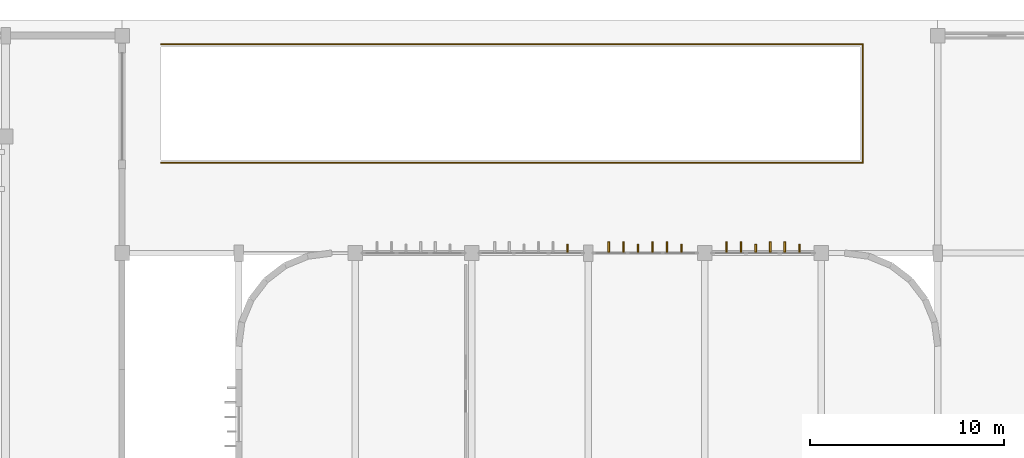
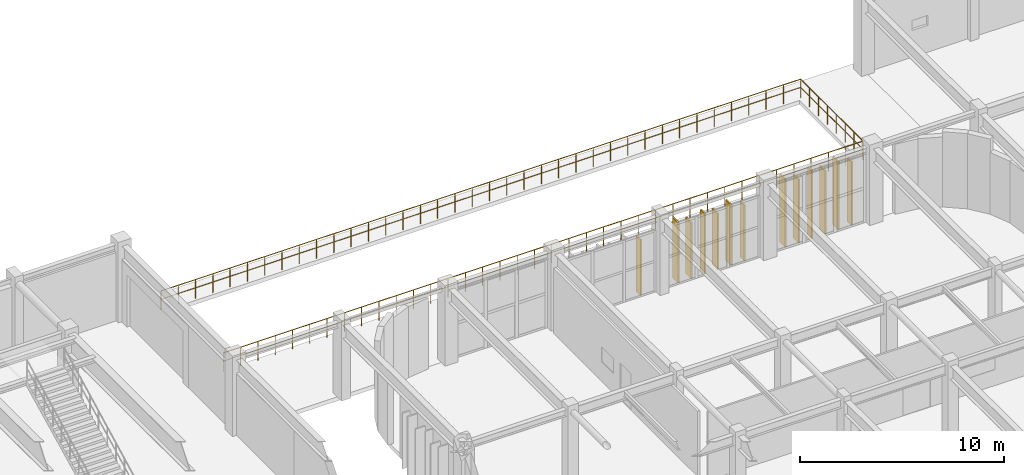
# One storey, part 72 of 76: 13 coverings, 3 railings.
"""IFC4 building model written with IfcOpenShell, lengths in metres."""

from ifc_helpers import new_model, si_unit, direction, frame, origin, origin_2d, place, context, subcontext, project, spatial, rectangle, circle, extrude, material, layer, layer_set, type_object, element, save


model = new_model("IFC4")

# Units and contexts
model_context = context("Model", 3, precision=1e-05, world=origin(), true_north=direction((0.0, 1.0)))
body_context = subcontext(model_context, "Body", "Model", "MODEL_VIEW")
ifc_project = project(units=[si_unit("LENGTHUNIT", "METRE"), si_unit("AREAUNIT", "SQUARE_METRE"), si_unit("VOLUMEUNIT", "CUBIC_METRE"), si_unit("PLANEANGLEUNIT", "RADIAN"), si_unit("MASSUNIT", "GRAM", prefix="KILO")], contexts=[model_context])

# Site, building, storey
site_placement = place(None, origin())
site = spatial("IfcSite", under=ifc_project, at=site_placement, CompositionType="ELEMENT")
building_placement = place(site_placement, origin())
building = spatial("IfcBuilding", under=site, at=building_placement, Name="Varnakota Square Police Headquarters", CompositionType="ELEMENT")
storey_placement = place(building_placement, origin())
storey = spatial("IfcBuildingStorey", under=building, at=storey_placement, Name="L00", CompositionType="ELEMENT", Elevation=0.0)

# Coverings
ifc_material_1 = material(Name="White Anodised Aluminium Vertical Facade Blade 420", Category="aluminium")
ifc_layer_1 = layer(ifc_material_1, 0.0849609375, Name="White Anodised Aluminium Vertical Facade Blade 420")
ifc_layer_set_1 = layer_set([ifc_layer_1], Name="White Anodised Aluminium Vertical Facade Blade 420")
covering_type_1 = type_object("IfcCoveringType", Name="COV-FIN-420", PredefinedType="CLADDING", material=ifc_layer_set_1)
covering_1_placement = place(storey_placement, frame((76.9375, 99.237548828125, 0.0400390625), z_axis=(0.0, 0.0, 1.0), x_axis=(1.0, 0.0, 0.0)))
element("IfcCovering", 1, at=covering_1_placement, inside=storey, type_object=covering_type_1, Name="Vertical aluminium facade fin FIN-1091", PredefinedType="CLADDING", context=body_context, shape_type="SweptSolid", body=[
    extrude(rectangle(XDim=0.0849609375, YDim=0.419921875, at=origin_2d()), origin(), (0.0, 0.0, 1.0), 3.330078125),
])
covering_2_placement = place(storey_placement, frame((80.5625, 99.237548828125, 0.0400390625), z_axis=(0.0, 0.0, 1.0), x_axis=(1.0, 0.0, 0.0)))
element("IfcCovering", 2, at=covering_2_placement, inside=storey, type_object=covering_type_1, Name="Vertical aluminium facade fin FIN-1094", PredefinedType="CLADDING", context=body_context, shape_type="SweptSolid", body=[
    extrude(rectangle(XDim=0.0849609375, YDim=0.419921875, at=origin_2d()), origin(), (0.0, 0.0, 1.0), 3.610107421875),
])
covering_3_placement = place(storey_placement, frame((82.8125, 99.237548828125, 0.0400390625), z_axis=(0.0, 0.0, 1.0), x_axis=(1.0, 0.0, 0.0)))
element("IfcCovering", 3, at=covering_3_placement, inside=storey, type_object=covering_type_1, Name="Vertical aluminium facade fin FIN-1097", PredefinedType="CLADDING", context=body_context, shape_type="SweptSolid", body=[
    extrude(rectangle(XDim=0.0849609375, YDim=0.419921875, at=origin_2d()), origin(), (0.0, 0.0, 1.0), 3.330078125),
])
covering_4_placement = place(storey_placement, frame((86.625, 99.242431640625, 0.0400390625), z_axis=(0.0, 0.0, 1.0), x_axis=(1.0, 0.0, 0.0)))
element("IfcCovering", 4, at=covering_4_placement, inside=storey, type_object=covering_type_1, Name="Vertical aluminium facade fin FIN-1100", PredefinedType="CLADDING", context=body_context, shape_type="SweptSolid", body=[
    extrude(rectangle(XDim=0.0849609375, YDim=0.419921875, at=origin_2d()), origin(), (0.0, 0.0, 1.0), 4.06005859375),
])
covering_5_placement = place(storey_placement, frame((88.875, 99.242431640625, 0.0400390625), z_axis=(0.0, 0.0, 1.0), x_axis=(1.0, 0.0, 0.0)))
element("IfcCovering", 5, at=covering_5_placement, inside=storey, type_object=covering_type_1, Name="Vertical aluminium facade fin FIN-1103", PredefinedType="CLADDING", context=body_context, shape_type="SweptSolid", body=[
    extrude(rectangle(XDim=0.0849609375, YDim=0.419921875, at=origin_2d()), origin(), (0.0, 0.0, 1.0), 3.780029296875),
])
ifc_material_2 = material(Name="White Anodised Aluminium Vertical Facade Blade 550", Category="aluminium")
ifc_layer_2 = layer(ifc_material_2, 0.0849609375, Name="White Anodised Aluminium Vertical Facade Blade 550")
ifc_layer_set_2 = layer_set([ifc_layer_2], Name="White Anodised Aluminium Vertical Facade Blade 550")
covering_type_2 = type_object("IfcCoveringType", Name="COV-FIN-550", PredefinedType="CLADDING", material=ifc_layer_set_2)
covering_6_placement = place(storey_placement, frame((79.0625, 99.302490234375, 0.0400390625), z_axis=(0.0, 0.0, 1.0), x_axis=(1.0, 0.0, 0.0)))
element("IfcCovering", 6, at=covering_6_placement, inside=storey, type_object=covering_type_2, Name="Vertical aluminium facade fin FIN-1092", PredefinedType="CLADDING", context=body_context, shape_type="SweptSolid", body=[
    extrude(rectangle(XDim=0.0849609375, YDim=0.550048828125, at=origin_2d()), origin(), (0.0, 0.0, 1.0), 3.610107421875),
])
for number, where, z_axis, x_axis, name in (
    (7, (79.8125, 99.302490234375, 0.0400390625), (0.0, 0.0, 1.0), (1.0, 0.0, 0.0), "Vertical aluminium facade fin FIN-1093"),
    (8, (81.3125, 99.302490234375, 0.0400390625), (0.0, 0.0, 1.0), (1.0, 0.0, 0.0), "Vertical aluminium facade fin FIN-1095"),
):
    element("IfcCovering", number, at=place(storey_placement, frame(where, z_axis=z_axis, x_axis=x_axis)), inside=storey, type_object=covering_type_2, Name=name, PredefinedType="CLADDING", context=body_context, shape_type="SweptSolid", body=[
        extrude(rectangle(XDim=0.0849609375, YDim=0.550048828125, at=origin_2d()), origin(), (0.0, 0.0, 1.0), 3.330078125),
    ])
covering_7_placement = place(storey_placement, frame((82.0625, 99.302490234375, 0.0400390625), z_axis=(0.0, 0.0, 1.0), x_axis=(1.0, 0.0, 0.0)))
element("IfcCovering", 9, at=covering_7_placement, inside=storey, type_object=covering_type_2, Name="Vertical aluminium facade fin FIN-1096", PredefinedType="CLADDING", context=body_context, shape_type="SweptSolid", body=[
    extrude(rectangle(XDim=0.0849609375, YDim=0.550048828125, at=origin_2d()), origin(), (0.0, 0.0, 1.0), 3.610107421875),
])
covering_8_placement = place(storey_placement, frame((85.125, 99.3076171875, 0.0400390625), z_axis=(0.0, 0.0, 1.0), x_axis=(1.0, 0.0, 0.0)))
element("IfcCovering", 10, at=covering_8_placement, inside=storey, type_object=covering_type_2, Name="Vertical aluminium facade fin FIN-1098", PredefinedType="CLADDING", context=body_context, shape_type="SweptSolid", body=[
    extrude(rectangle(XDim=0.0849609375, YDim=0.550048828125, at=origin_2d()), origin(), (0.0, 0.0, 1.0), 4.06005859375),
])
for number, where, z_axis, x_axis, name in (
    (11, (85.875, 99.3076171875, 0.0400390625), (0.0, 0.0, 1.0), (1.0, 0.0, 0.0), "Vertical aluminium facade fin FIN-1099"),
    (12, (87.375, 99.3076171875, 0.0400390625), (0.0, 0.0, 1.0), (1.0, 0.0, 0.0), "Vertical aluminium facade fin FIN-1101"),
):
    element("IfcCovering", number, at=place(storey_placement, frame(where, z_axis=z_axis, x_axis=x_axis)), inside=storey, type_object=covering_type_2, Name=name, PredefinedType="CLADDING", context=body_context, shape_type="SweptSolid", body=[
        extrude(rectangle(XDim=0.0849609375, YDim=0.550048828125, at=origin_2d()), origin(), (0.0, 0.0, 1.0), 3.780029296875),
    ])
covering_9_placement = place(storey_placement, frame((88.125, 99.3076171875, 0.0400390625), z_axis=(0.0, 0.0, 1.0), x_axis=(1.0, 0.0, 0.0)))
element("IfcCovering", 13, at=covering_9_placement, inside=storey, type_object=covering_type_2, Name="Vertical aluminium facade fin FIN-1102", PredefinedType="CLADDING", context=body_context, shape_type="SweptSolid", body=[
    extrude(rectangle(XDim=0.0849609375, YDim=0.550048828125, at=origin_2d()), origin(), (0.0, 0.0, 1.0), 4.06005859375),
])

# Railings
ifc_material_3 = material(Name="Galvanised Powder-Coated Steel Guardrail", Category="steel")
railing_type = type_object("IfcRailingType", Name="RL-BAL-1150", PredefinedType="BALUSTRADE", material=ifc_material_3)
railing_1_placement = place(storey_placement, frame((56.0, 103.64990234375, 0.0)))
element("IfcRailing", 14, at=railing_1_placement, inside=storey, type_object=railing_type, Name="Ramp void balustrade GD-L00-RMP-023", PredefinedType="BALUSTRADE", context=body_context, shape_type="SweptSolid", body=[
    extrude(circle(Radius=0.02392578125, at=origin_2d()), frame((0.0, 0.0, 1.1259765625), z_axis=(1.0, 0.0, 0.0), x_axis=(0.0, 1.0, 0.0)), (0.0, 0.0, 1.0), 36.14990234375),
    extrude(circle(Radius=0.01806640625, at=origin_2d()), frame((0.0, 0.0, 0.63232421875), z_axis=(1.0, 0.0, 0.0), x_axis=(0.0, 1.0, 0.0)), (0.0, 0.0, 1.0), 36.14990234375),
    extrude(circle(Radius=0.02099609375, at=origin_2d()), origin(), (0.0, 0.0, 1.0), 1.101806640625),
    extrude(circle(Radius=0.02099609375, at=origin_2d()), frame((0.97705078125, 0.0, 0.0)), (0.0, 0.0, 1.0), 1.101806640625),
    extrude(circle(Radius=0.02099609375, at=origin_2d()), frame((1.9541015625, 0.0, 0.0)), (0.0, 0.0, 1.0), 1.101806640625),
    extrude(circle(Radius=0.02099609375, at=origin_2d()), frame((2.93115234375, 0.0, 0.0)), (0.0, 0.0, 1.0), 1.101806640625),
    extrude(circle(Radius=0.02099609375, at=origin_2d()), frame((3.908203125, 0.0, 0.0)), (0.0, 0.0, 1.0), 1.101806640625),
    extrude(circle(Radius=0.02099609375, at=origin_2d()), frame((4.885009765625, 0.0, 0.0)), (0.0, 0.0, 1.0), 1.101806640625),
    extrude(circle(Radius=0.02099609375, at=origin_2d()), frame((5.862060546875, 0.0, 0.0)), (0.0, 0.0, 1.0), 1.101806640625),
    extrude(circle(Radius=0.02099609375, at=origin_2d()), frame((6.839111328125, 0.0, 0.0)), (0.0, 0.0, 1.0), 1.101806640625),
    extrude(circle(Radius=0.02099609375, at=origin_2d()), frame((7.816162109375, 0.0, 0.0)), (0.0, 0.0, 1.0), 1.101806640625),
    extrude(circle(Radius=0.02099609375, at=origin_2d()), frame((8.793212890625, 0.0, 0.0)), (0.0, 0.0, 1.0), 1.101806640625),
    extrude(circle(Radius=0.02099609375, at=origin_2d()), frame((9.770263671875, 0.0, 0.0)), (0.0, 0.0, 1.0), 1.101806640625),
    extrude(circle(Radius=0.02099609375, at=origin_2d()), frame((10.747314453125, 0.0, 0.0)), (0.0, 0.0, 1.0), 1.101806640625),
    extrude(circle(Radius=0.02099609375, at=origin_2d()), frame((11.724365234375, 0.0, 0.0)), (0.0, 0.0, 1.0), 1.101806640625),
    extrude(circle(Radius=0.02099609375, at=origin_2d()), frame((12.701416015625, 0.0, 0.0)), (0.0, 0.0, 1.0), 1.101806640625),
    extrude(circle(Radius=0.02099609375, at=origin_2d()), frame((13.67822265625, 0.0, 0.0)), (0.0, 0.0, 1.0), 1.101806640625),
    extrude(circle(Radius=0.02099609375, at=origin_2d()), frame((14.6552734375, 0.0, 0.0)), (0.0, 0.0, 1.0), 1.101806640625),
    extrude(circle(Radius=0.02099609375, at=origin_2d()), frame((15.63232421875, 0.0, 0.0)), (0.0, 0.0, 1.0), 1.101806640625),
    extrude(circle(Radius=0.02099609375, at=origin_2d()), frame((16.609375, 0.0, 0.0)), (0.0, 0.0, 1.0), 1.101806640625),
    extrude(circle(Radius=0.02099609375, at=origin_2d()), frame((17.58642578125, 0.0, 0.0)), (0.0, 0.0, 1.0), 1.101806640625),
    extrude(circle(Radius=0.02099609375, at=origin_2d()), frame((18.5634765625, 0.0, 0.0)), (0.0, 0.0, 1.0), 1.101806640625),
    extrude(circle(Radius=0.02099609375, at=origin_2d()), frame((19.54052734375, 0.0, 0.0)), (0.0, 0.0, 1.0), 1.101806640625),
    extrude(circle(Radius=0.02099609375, at=origin_2d()), frame((20.517578125, 0.0, 0.0)), (0.0, 0.0, 1.0), 1.101806640625),
    extrude(circle(Radius=0.02099609375, at=origin_2d()), frame((21.49462890625, 0.0, 0.0)), (0.0, 0.0, 1.0), 1.101806640625),
    extrude(circle(Radius=0.02099609375, at=origin_2d()), frame((22.4716796875, 0.0, 0.0)), (0.0, 0.0, 1.0), 1.101806640625),
    extrude(circle(Radius=0.02099609375, at=origin_2d()), frame((23.448486328125, 0.0, 0.0)), (0.0, 0.0, 1.0), 1.101806640625),
    extrude(circle(Radius=0.02099609375, at=origin_2d()), frame((24.425537109375, 0.0, 0.0)), (0.0, 0.0, 1.0), 1.101806640625),
    extrude(circle(Radius=0.02099609375, at=origin_2d()), frame((25.402587890625, 0.0, 0.0)), (0.0, 0.0, 1.0), 1.101806640625),
    extrude(circle(Radius=0.02099609375, at=origin_2d()), frame((26.379638671875, 0.0, 0.0)), (0.0, 0.0, 1.0), 1.101806640625),
    extrude(circle(Radius=0.02099609375, at=origin_2d()), frame((27.356689453125, 0.0, 0.0)), (0.0, 0.0, 1.0), 1.101806640625),
    extrude(circle(Radius=0.02099609375, at=origin_2d()), frame((28.333740234375, 0.0, 0.0)), (0.0, 0.0, 1.0), 1.101806640625),
    extrude(circle(Radius=0.02099609375, at=origin_2d()), frame((29.310791015625, 0.0, 0.0)), (0.0, 0.0, 1.0), 1.101806640625),
    extrude(circle(Radius=0.02099609375, at=origin_2d()), frame((30.287841796875, 0.0, 0.0)), (0.0, 0.0, 1.0), 1.101806640625),
    extrude(circle(Radius=0.02099609375, at=origin_2d()), frame((31.264892578125, 0.0, 0.0)), (0.0, 0.0, 1.0), 1.101806640625),
    extrude(circle(Radius=0.02099609375, at=origin_2d()), frame((32.24169921875, 0.0, 0.0)), (0.0, 0.0, 1.0), 1.101806640625),
    extrude(circle(Radius=0.02099609375, at=origin_2d()), frame((33.21875, 0.0, 0.0)), (0.0, 0.0, 1.0), 1.101806640625),
    extrude(circle(Radius=0.02099609375, at=origin_2d()), frame((34.19580078125, 0.0, 0.0)), (0.0, 0.0, 1.0), 1.101806640625),
    extrude(circle(Radius=0.02099609375, at=origin_2d()), frame((35.1728515625, 0.0, 0.0)), (0.0, 0.0, 1.0), 1.101806640625),
    extrude(circle(Radius=0.02099609375, at=origin_2d()), frame((36.14990234375, 0.0, 0.0)), (0.0, 0.0, 1.0), 1.101806640625),
])
railing_2_placement = place(storey_placement, frame((92.14990234375, 103.64990234375, 0.0)))
element("IfcRailing", 15, at=railing_2_placement, inside=storey, type_object=railing_type, Name="Ramp void balustrade GD-L00-RMP-024", PredefinedType="BALUSTRADE", context=body_context, shape_type="SweptSolid", body=[
    extrude(circle(Radius=0.02392578125, at=origin_2d()), frame((0.0, 0.0, 1.1259765625), z_axis=(0.0, 1.0, 0.0), x_axis=(-1.0, 0.0, 0.0)), (0.0, 0.0, 1.0), 6.10009765625),
    extrude(circle(Radius=0.01806640625, at=origin_2d()), frame((0.0, 0.0, 0.63232421875), z_axis=(0.0, 1.0, 0.0), x_axis=(-1.0, 0.0, 0.0)), (0.0, 0.0, 1.0), 6.10009765625),
    extrude(circle(Radius=0.02099609375, at=origin_2d()), origin(), (0.0, 0.0, 1.0), 1.101806640625),
    extrude(circle(Radius=0.02099609375, at=origin_2d()), frame((0.0, 0.871337890625, 0.0)), (0.0, 0.0, 1.0), 1.101806640625),
    extrude(circle(Radius=0.02099609375, at=origin_2d()), frame((0.0, 1.742919921875, 0.0)), (0.0, 0.0, 1.0), 1.101806640625),
    extrude(circle(Radius=0.02099609375, at=origin_2d()), frame((0.0, 2.6142578125, 0.0)), (0.0, 0.0, 1.0), 1.101806640625),
    extrude(circle(Radius=0.02099609375, at=origin_2d()), frame((0.0, 3.48583984375, 0.0)), (0.0, 0.0, 1.0), 1.101806640625),
    extrude(circle(Radius=0.02099609375, at=origin_2d()), frame((0.0, 4.357177734375, 0.0)), (0.0, 0.0, 1.0), 1.101806640625),
    extrude(circle(Radius=0.02099609375, at=origin_2d()), frame((0.0, 5.228759765625, 0.0)), (0.0, 0.0, 1.0), 1.101806640625),
    extrude(circle(Radius=0.02099609375, at=origin_2d()), frame((0.0, 6.10009765625, 0.0)), (0.0, 0.0, 1.0), 1.101806640625),
])
railing_3_placement = place(storey_placement, frame((92.14990234375, 109.75, 0.0)))
element("IfcRailing", 16, at=railing_3_placement, inside=storey, type_object=railing_type, Name="Ramp void balustrade GD-L00-RMP-025", PredefinedType="BALUSTRADE", context=body_context, shape_type="SweptSolid", body=[
    extrude(circle(Radius=0.02392578125, at=origin_2d()), frame((0.0, 0.0, 1.1259765625), z_axis=(-1.0, 0.0, 0.0), x_axis=(0.0, -1.0, 0.0)), (0.0, 0.0, 1.0), 36.14990234375),
    extrude(circle(Radius=0.01806640625, at=origin_2d()), frame((0.0, 0.0, 0.63232421875), z_axis=(-1.0, 0.0, 0.0), x_axis=(0.0, -1.0, 0.0)), (0.0, 0.0, 1.0), 36.14990234375),
    extrude(circle(Radius=0.02099609375, at=origin_2d()), origin(), (0.0, 0.0, 1.0), 1.101806640625),
    extrude(circle(Radius=0.02099609375, at=origin_2d()), frame((-0.97705078125, 0.0, 0.0)), (0.0, 0.0, 1.0), 1.101806640625),
    extrude(circle(Radius=0.02099609375, at=origin_2d()), frame((-1.9541015625, 0.0, 0.0)), (0.0, 0.0, 1.0), 1.101806640625),
    extrude(circle(Radius=0.02099609375, at=origin_2d()), frame((-2.93115234375, 0.0, 0.0)), (0.0, 0.0, 1.0), 1.101806640625),
    extrude(circle(Radius=0.02099609375, at=origin_2d()), frame((-3.908203125, 0.0, 0.0)), (0.0, 0.0, 1.0), 1.101806640625),
    extrude(circle(Radius=0.02099609375, at=origin_2d()), frame((-4.885009765625, 0.0, 0.0)), (0.0, 0.0, 1.0), 1.101806640625),
    extrude(circle(Radius=0.02099609375, at=origin_2d()), frame((-5.862060546875, 0.0, 0.0)), (0.0, 0.0, 1.0), 1.101806640625),
    extrude(circle(Radius=0.02099609375, at=origin_2d()), frame((-6.839111328125, 0.0, 0.0)), (0.0, 0.0, 1.0), 1.101806640625),
    extrude(circle(Radius=0.02099609375, at=origin_2d()), frame((-7.816162109375, 0.0, 0.0)), (0.0, 0.0, 1.0), 1.101806640625),
    extrude(circle(Radius=0.02099609375, at=origin_2d()), frame((-8.793212890625, 0.0, 0.0)), (0.0, 0.0, 1.0), 1.101806640625),
    extrude(circle(Radius=0.02099609375, at=origin_2d()), frame((-9.770263671875, 0.0, 0.0)), (0.0, 0.0, 1.0), 1.101806640625),
    extrude(circle(Radius=0.02099609375, at=origin_2d()), frame((-10.747314453125, 0.0, 0.0)), (0.0, 0.0, 1.0), 1.101806640625),
    extrude(circle(Radius=0.02099609375, at=origin_2d()), frame((-11.724365234375, 0.0, 0.0)), (0.0, 0.0, 1.0), 1.101806640625),
    extrude(circle(Radius=0.02099609375, at=origin_2d()), frame((-12.701416015625, 0.0, 0.0)), (0.0, 0.0, 1.0), 1.101806640625),
    extrude(circle(Radius=0.02099609375, at=origin_2d()), frame((-13.67822265625, 0.0, 0.0)), (0.0, 0.0, 1.0), 1.101806640625),
    extrude(circle(Radius=0.02099609375, at=origin_2d()), frame((-14.6552734375, 0.0, 0.0)), (0.0, 0.0, 1.0), 1.101806640625),
    extrude(circle(Radius=0.02099609375, at=origin_2d()), frame((-15.63232421875, 0.0, 0.0)), (0.0, 0.0, 1.0), 1.101806640625),
    extrude(circle(Radius=0.02099609375, at=origin_2d()), frame((-16.609375, 0.0, 0.0)), (0.0, 0.0, 1.0), 1.101806640625),
    extrude(circle(Radius=0.02099609375, at=origin_2d()), frame((-17.58642578125, 0.0, 0.0)), (0.0, 0.0, 1.0), 1.101806640625),
    extrude(circle(Radius=0.02099609375, at=origin_2d()), frame((-18.5634765625, 0.0, 0.0)), (0.0, 0.0, 1.0), 1.101806640625),
    extrude(circle(Radius=0.02099609375, at=origin_2d()), frame((-19.54052734375, 0.0, 0.0)), (0.0, 0.0, 1.0), 1.101806640625),
    extrude(circle(Radius=0.02099609375, at=origin_2d()), frame((-20.517578125, 0.0, 0.0)), (0.0, 0.0, 1.0), 1.101806640625),
    extrude(circle(Radius=0.02099609375, at=origin_2d()), frame((-21.49462890625, 0.0, 0.0)), (0.0, 0.0, 1.0), 1.101806640625),
    extrude(circle(Radius=0.02099609375, at=origin_2d()), frame((-22.4716796875, 0.0, 0.0)), (0.0, 0.0, 1.0), 1.101806640625),
    extrude(circle(Radius=0.02099609375, at=origin_2d()), frame((-23.448486328125, 0.0, 0.0)), (0.0, 0.0, 1.0), 1.101806640625),
    extrude(circle(Radius=0.02099609375, at=origin_2d()), frame((-24.425537109375, 0.0, 0.0)), (0.0, 0.0, 1.0), 1.101806640625),
    extrude(circle(Radius=0.02099609375, at=origin_2d()), frame((-25.402587890625, 0.0, 0.0)), (0.0, 0.0, 1.0), 1.101806640625),
    extrude(circle(Radius=0.02099609375, at=origin_2d()), frame((-26.379638671875, 0.0, 0.0)), (0.0, 0.0, 1.0), 1.101806640625),
    extrude(circle(Radius=0.02099609375, at=origin_2d()), frame((-27.356689453125, 0.0, 0.0)), (0.0, 0.0, 1.0), 1.101806640625),
    extrude(circle(Radius=0.02099609375, at=origin_2d()), frame((-28.333740234375, 0.0, 0.0)), (0.0, 0.0, 1.0), 1.101806640625),
    extrude(circle(Radius=0.02099609375, at=origin_2d()), frame((-29.310791015625, 0.0, 0.0)), (0.0, 0.0, 1.0), 1.101806640625),
    extrude(circle(Radius=0.02099609375, at=origin_2d()), frame((-30.287841796875, 0.0, 0.0)), (0.0, 0.0, 1.0), 1.101806640625),
    extrude(circle(Radius=0.02099609375, at=origin_2d()), frame((-31.264892578125, 0.0, 0.0)), (0.0, 0.0, 1.0), 1.101806640625),
    extrude(circle(Radius=0.02099609375, at=origin_2d()), frame((-32.24169921875, 0.0, 0.0)), (0.0, 0.0, 1.0), 1.101806640625),
    extrude(circle(Radius=0.02099609375, at=origin_2d()), frame((-33.21875, 0.0, 0.0)), (0.0, 0.0, 1.0), 1.101806640625),
    extrude(circle(Radius=0.02099609375, at=origin_2d()), frame((-34.19580078125, 0.0, 0.0)), (0.0, 0.0, 1.0), 1.101806640625),
    extrude(circle(Radius=0.02099609375, at=origin_2d()), frame((-35.1728515625, 0.0, 0.0)), (0.0, 0.0, 1.0), 1.101806640625),
    extrude(circle(Radius=0.02099609375, at=origin_2d()), frame((-36.14990234375, 0.0, 0.0)), (0.0, 0.0, 1.0), 1.101806640625),
])

save(model, "model.ifc")
